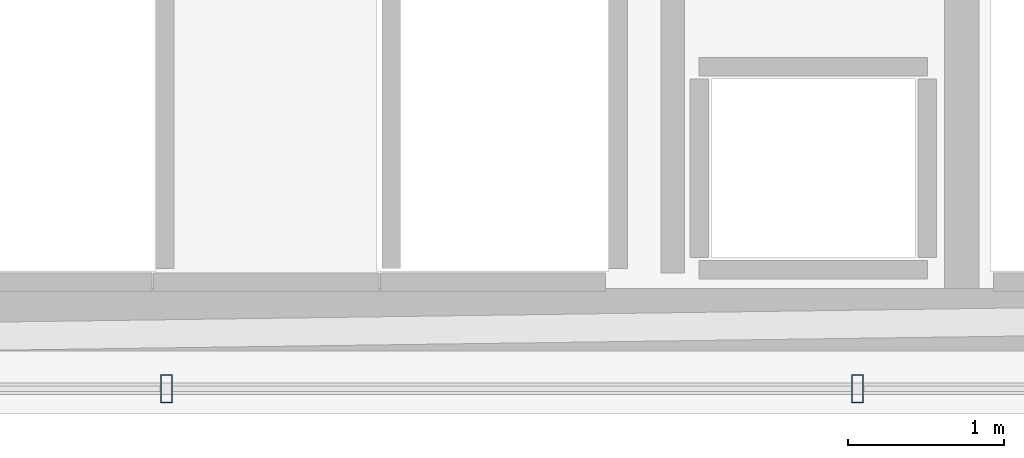
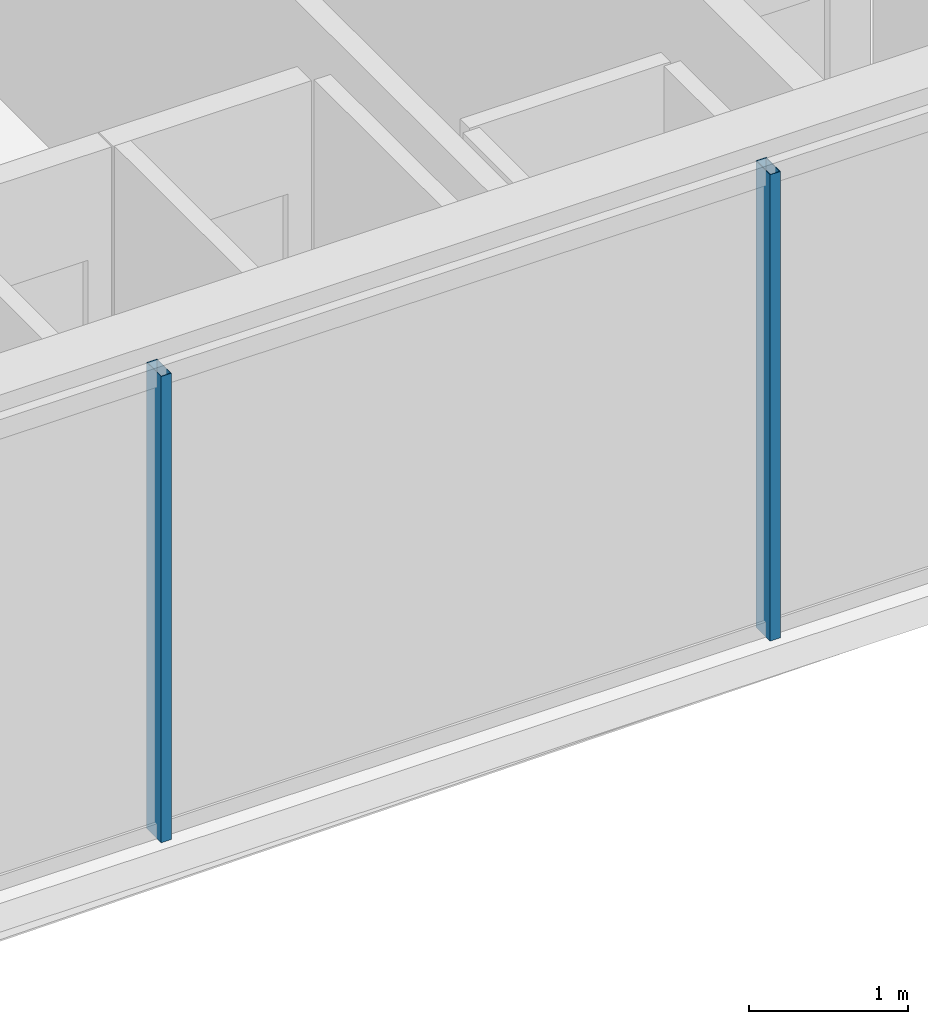
# One storey, part 10 of 34: 2 members, 1 element without a shape of its own.
"""IFC4 building model written with IfcOpenShell, lengths in metres."""

from ifc_helpers import new_model, si_unit, direction, frame, origin, origin_2d, place, context, subcontext, project, spatial, hollow_rectangle, extrude, material, layer, layer_set, material_profile, profile_set, type_object, element, aggregate, save


model = new_model("IFC4")

# Units and contexts
model_context = context("Model", 3, precision=1e-05, world=origin(), true_north=direction((0.0, 1.0)))
body_context = subcontext(model_context, "Body", "Model", "MODEL_VIEW")
ifc_project = project(units=[si_unit("LENGTHUNIT", "METRE"), si_unit("AREAUNIT", "SQUARE_METRE"), si_unit("VOLUMEUNIT", "CUBIC_METRE"), si_unit("PLANEANGLEUNIT", "RADIAN"), si_unit("MASSUNIT", "GRAM", prefix="KILO")], contexts=[model_context])

# Site, building, storey
site_placement = place(None, origin())
site = spatial("IfcSite", under=ifc_project, at=site_placement, CompositionType="ELEMENT")
building_placement = place(site_placement, origin())
building = spatial("IfcBuilding", under=site, at=building_placement, Name="Ndaravel Arena Tower", CompositionType="ELEMENT")
storey_placement = place(building_placement, frame((0.0, 0.0, 267.39990234375)))
storey = spatial("IfcBuildingStorey", under=building, at=storey_placement, Name="L65", CompositionType="ELEMENT", Elevation=267.39990234375)

# Curtain wall, members
ifc_material_1 = material(Name="Aluminium", Category="aluminium")
ifc_layer = layer(ifc_material_1, 0.179931640625)
ifc_layer_set = layer_set([ifc_layer], Name="Aluminium")
curtain_wall_type = type_object("IfcCurtainWallType", Name="CW-SYS-03", PredefinedType="NOTDEFINED", material=ifc_layer_set)
curtain_wall_placement = place(storey_placement, origin())
curtain_wall = element("IfcCurtainWall", 1, at=curtain_wall_placement, inside=storey, type_object=curtain_wall_type, Name="L65 Faceted Crystal Curtain Wall CW-L65-E01", PredefinedType="NOTDEFINED")
ifc_material_2 = material(Name="Aluminium", Category="aluminium")
ifc_material_profile = material_profile(ifc_material_2, hollow_rectangle(XDim=0.074951171875, YDim=0.179931640625, WallThickness=0.00390625, at=origin_2d()), Name="CW MULLION 75x180x4")
ifc_profile_set = profile_set([ifc_material_profile], Name="Aluminium")
member_type = type_object("IfcMemberType", Name="MEM-CW-MUL180", PredefinedType="MULLION", material=ifc_profile_set)
member_1_placement = place(storey_placement, frame((44.211181640625, 5.159912109375, 0.0), z_axis=(0.0, 0.0, 1.0), x_axis=(1.0, 0.0, 0.0)))
member_1 = element("IfcMember", 2, at=member_1_placement, type_object=member_type, Name="CW-L65-E01 Mullion 05", PredefinedType="MULLION", context=body_context, shape_type="SweptSolid", body=[
    extrude(hollow_rectangle(XDim=0.074951171875, YDim=0.179931640625, WallThickness=0.00390625, at=origin_2d()), origin(), (0.0, 0.0, 1.0), 3.580078125),
])
member_2_placement = place(storey_placement, frame((48.6337890625, 5.159912109375, 0.0), z_axis=(0.0, 0.0, 1.0), x_axis=(1.0, 0.0, 0.0)))
member_2 = element("IfcMember", 3, at=member_2_placement, type_object=member_type, Name="CW-L65-E01 Mullion 06", PredefinedType="MULLION", context=body_context, shape_type="SweptSolid", body=[
    extrude(hollow_rectangle(XDim=0.074951171875, YDim=0.179931640625, WallThickness=0.00390625, at=origin_2d()), origin(), (0.0, 0.0, 1.0), 3.580078125),
])
aggregate(curtain_wall, [member_1, member_2])

save(model, "model.ifc")
